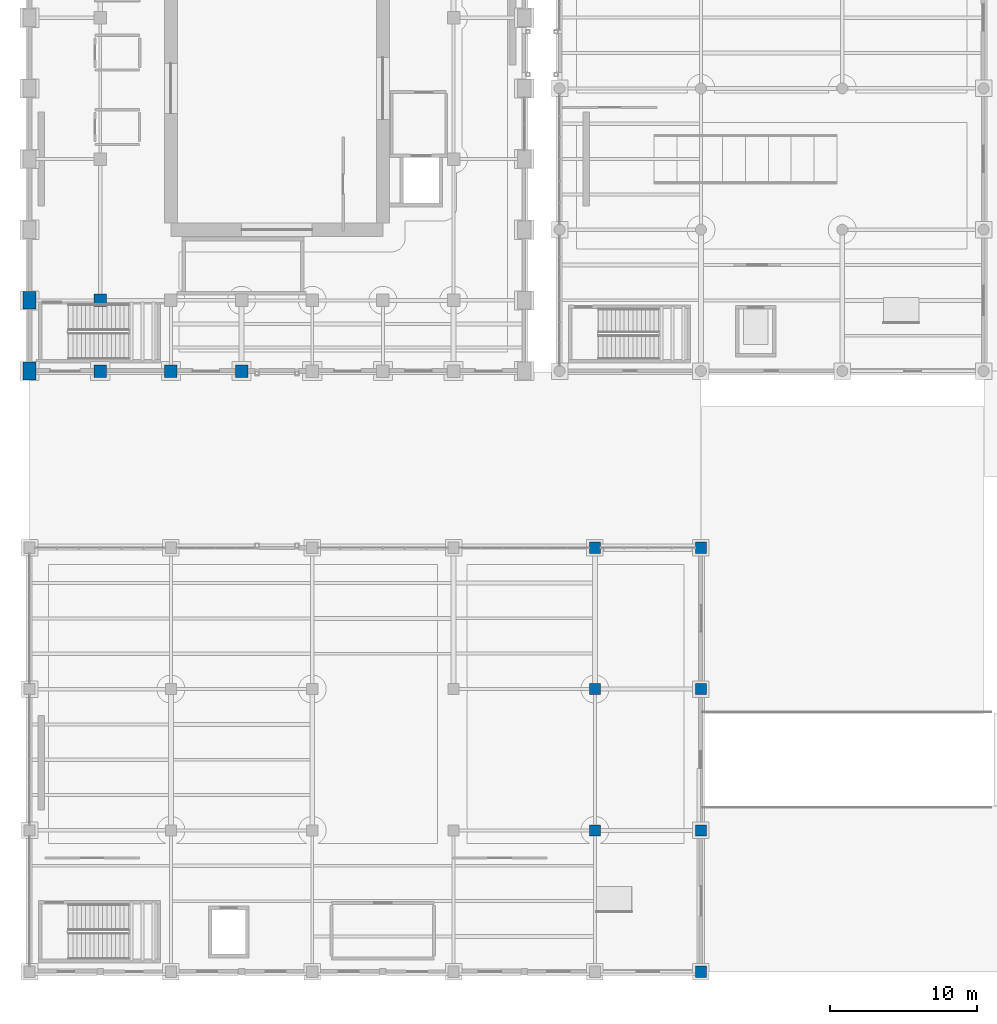
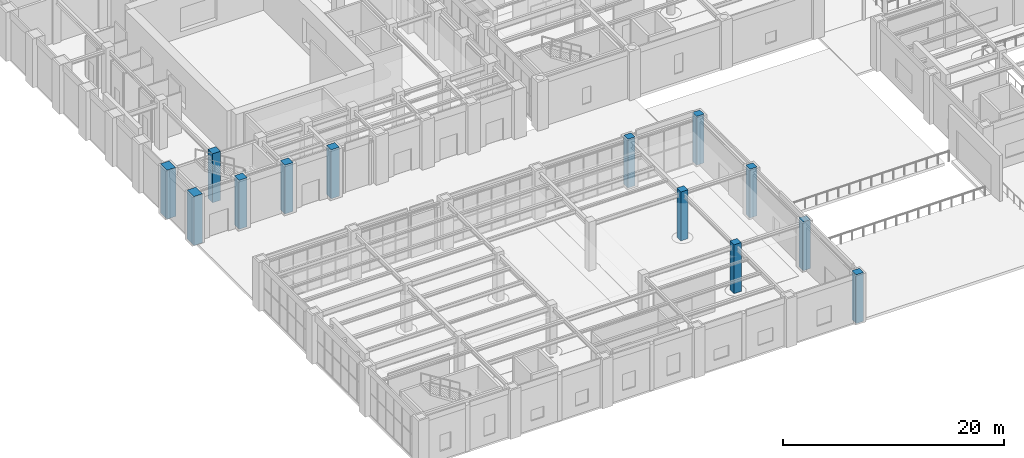
# One storey, part 4 of 164: 13 columns.
"""IFC4 building model written with IfcOpenShell, lengths in metres."""

from ifc_helpers import new_model, si_unit, direction, frame, origin, origin_2d, place, context, subcontext, project, spatial, rectangle, extrude, material, material_profile, profile_set, type_object, element, save


model = new_model("IFC4")

# Units and contexts
model_context = context("Model", 3, precision=1e-05, world=origin(), true_north=direction((0.0, 1.0)))
body_context = subcontext(model_context, "Body", "Model", "MODEL_VIEW")
ifc_project = project(units=[si_unit("LENGTHUNIT", "METRE"), si_unit("AREAUNIT", "SQUARE_METRE"), si_unit("VOLUMEUNIT", "CUBIC_METRE"), si_unit("PLANEANGLEUNIT", "RADIAN"), si_unit("MASSUNIT", "GRAM", prefix="KILO")], contexts=[model_context])

# Site, building, storey
site_placement = place(None, origin())
site = spatial("IfcSite", under=ifc_project, at=site_placement, CompositionType="ELEMENT")
building_placement = place(site_placement, origin())
building = spatial("IfcBuilding", under=site, at=building_placement, Name="Mavantir Sound Aquarium", CompositionType="ELEMENT")
storey_placement = place(building_placement, origin())
storey = spatial("IfcBuildingStorey", under=building, at=storey_placement, Name="L00", CompositionType="ELEMENT", Elevation=0.0)

# Columns
ifc_material = material(Name="Concrete C40/50", Category="concrete")
ifc_material_profile_1 = material_profile(ifc_material, rectangle(XDim=0.75, YDim=0.75, at=origin_2d()), Name="RC 750X750")
ifc_profile_set_1 = profile_set([ifc_material_profile_1], Name="Concrete C40/50")
column_type_1 = type_object("IfcColumnType", Name="COL-RC750-E", PredefinedType="COLUMN", material=ifc_profile_set_1)
column_placement = place(storey_placement, frame((45.60009765625, 0.0, 0.0), z_axis=(0.0, 0.0, 1.0), x_axis=(1.0, 0.0, 0.0)))
element("IfcColumn", 1, at=column_placement, inside=storey, type_object=column_type_1, Name="L00 column RC-C75 (V3)", PredefinedType="COLUMN", context=body_context, shape_type="SweptSolid", body=[
    extrude(rectangle(XDim=0.75, YDim=0.75, at=origin_2d()), origin(), (0.0, 0.0, 1.0), 5.39990234375),
])
ifc_material_profile_2 = material_profile(ifc_material, rectangle(XDim=0.75, YDim=0.75, at=origin_2d()), Name="RC 750X750")
ifc_profile_set_2 = profile_set([ifc_material_profile_2], Name="Concrete C40/50")
column_type_2 = type_object("IfcColumnType", Name="COL-RC750-I", PredefinedType="COLUMN", material=ifc_profile_set_2)
for number, where, z_axis, x_axis, name in (
    (2, (38.39990234375, 9.60009765625, 0.0), (0.0, 0.0, 1.0), (1.0, 0.0, 0.0), "L00 column RC-C75 (V3)"),
    (3, (38.39990234375, 19.199951171875, 0.0), (0.0, 0.0, 1.0), (1.0, 0.0, 0.0), "L00 column RC-C75 (V3)"),
    (4, (38.39990234375, 28.800048828125, 0.0), (0.0, 0.0, 1.0), (1.0, 0.0, 0.0), "L00 column RC-C75 (V3)"),
    (5, (45.60009765625, 9.60009765625, 0.0), (0.0, 0.0, 1.0), (1.0, 0.0, 0.0), "L00 column RC-C75 (V3)"),
    (6, (45.60009765625, 19.199951171875, 0.0), (0.0, 0.0, 1.0), (1.0, 0.0, 0.0), "L00 column RC-C75 (V3)"),
    (7, (45.60009765625, 28.800048828125, 0.0), (0.0, 0.0, 1.0), (1.0, 0.0, 0.0), "L00 column RC-C75 (V3)"),
):
    element("IfcColumn", number, at=place(storey_placement, frame(where, z_axis=z_axis, x_axis=x_axis)), inside=storey, type_object=column_type_2, Name=name, PredefinedType="COLUMN", context=body_context, shape_type="SweptSolid", body=[
        extrude(rectangle(XDim=0.75, YDim=0.75, at=origin_2d()), origin(), (0.0, 0.0, 1.0), 5.39990234375),
    ])
ifc_material_profile_3 = material_profile(ifc_material, rectangle(XDim=0.85009765625, YDim=0.85009765625, at=origin_2d()), Name="RC 850X850")
ifc_profile_set_3 = profile_set([ifc_material_profile_3], Name="Concrete C40/50")
column_type_3 = type_object("IfcColumnType", Name="COL-RC850-I", PredefinedType="COLUMN", material=ifc_profile_set_3)
for number, where, z_axis, x_axis, name in (
    (8, (4.800048828125, 40.800048828125, 0.0), (0.0, 0.0, 1.0), (1.0, 0.0, 0.0), "L00 column RC-C85 (V1)"),
    (9, (4.800048828125, 45.60009765625, 0.0), (0.0, 0.0, 1.0), (1.0, 0.0, 0.0), "L00 column RC-C85 (V1)"),
    (10, (9.60009765625, 40.800048828125, 0.0), (0.0, 0.0, 1.0), (1.0, 0.0, 0.0), "L00 column RC-C85 (V1)"),
    (11, (14.39990234375, 40.800048828125, 0.0), (0.0, 0.0, 1.0), (1.0, 0.0, 0.0), "L00 column RC-C85 (V1)"),
):
    element("IfcColumn", number, at=place(storey_placement, frame(where, z_axis=z_axis, x_axis=x_axis)), inside=storey, type_object=column_type_3, Name=name, PredefinedType="COLUMN", context=body_context, shape_type="SweptSolid", body=[
        extrude(rectangle(XDim=0.85009765625, YDim=0.85009765625, at=origin_2d()), origin(), (0.0, 0.0, 1.0), 5.39990234375),
    ])
ifc_material_profile_4 = material_profile(ifc_material, rectangle(XDim=0.89990234375, YDim=1.199951171875, at=origin_2d()), Name="RC 900X1200")
ifc_profile_set_4 = profile_set([ifc_material_profile_4], Name="Concrete C40/50")
column_type_4 = type_object("IfcColumnType", Name="COL-RC900X1200-E", PredefinedType="COLUMN", material=ifc_profile_set_4)
for number, where, z_axis, x_axis, name in (
    (12, (0.0, 40.800048828125, 0.0), (0.0, 0.0, 1.0), (1.0, 0.0, 0.0), "L00 column RC-C912 (V1)"),
    (13, (0.0, 45.60009765625, 0.0), (0.0, 0.0, 1.0), (1.0, 0.0, 0.0), "L00 column RC-C912 (V1)"),
):
    element("IfcColumn", number, at=place(storey_placement, frame(where, z_axis=z_axis, x_axis=x_axis)), inside=storey, type_object=column_type_4, Name=name, PredefinedType="COLUMN", context=body_context, shape_type="SweptSolid", body=[
        extrude(rectangle(XDim=0.89990234375, YDim=1.199951171875, at=origin_2d()), origin(), (0.0, 0.0, 1.0), 5.39990234375),
    ])

save(model, "model.ifc")
